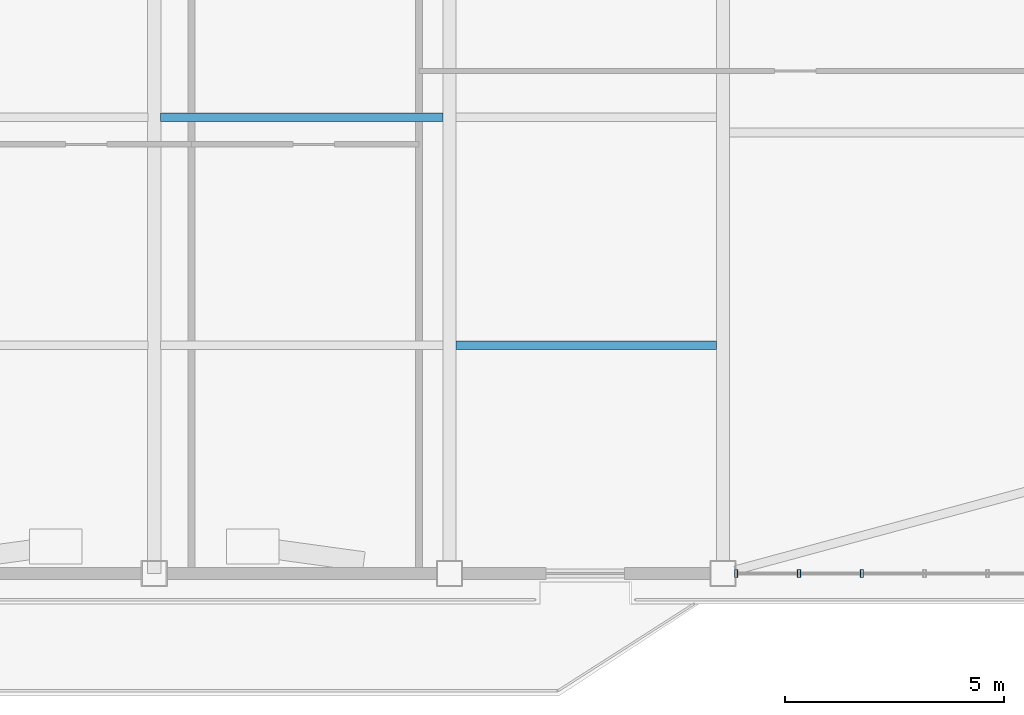
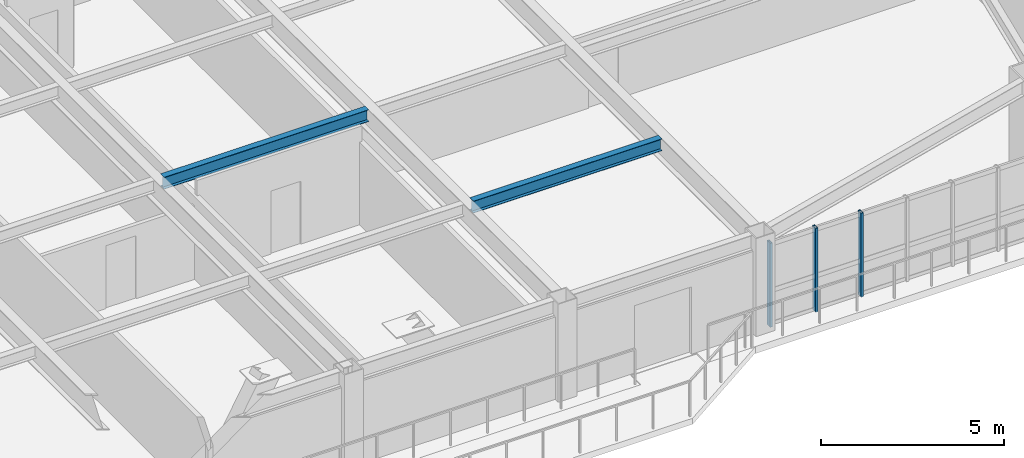
# One storey, part 4 of 17: 3 members, 2 beams, 1 element without a shape of its own.
"""IFC4 building model written with IfcOpenShell, lengths in metres."""

from ifc_helpers import new_model, si_unit, direction, frame, origin, origin_2d, place, context, subcontext, project, spatial, hollow_rectangle, i_section, extrude, source, transform, mapped, material, layer, layer_set, material_profile, profile_set, type_object, element, aggregate, save


model = new_model("IFC4")

# Units and contexts
model_context = context("Model", 3, precision=1e-05, world=origin(), true_north=direction((0.0, 1.0)))
body_context = subcontext(model_context, "Body", "Model", "MODEL_VIEW")
ifc_project = project(units=[si_unit("LENGTHUNIT", "METRE"), si_unit("AREAUNIT", "SQUARE_METRE"), si_unit("VOLUMEUNIT", "CUBIC_METRE"), si_unit("PLANEANGLEUNIT", "RADIAN"), si_unit("MASSUNIT", "GRAM", prefix="KILO")], contexts=[model_context])

# Site, building, storey
site_placement = place(None, origin())
site = spatial("IfcSite", under=ifc_project, at=site_placement, CompositionType="ELEMENT")
building_placement = place(site_placement, origin())
building = spatial("IfcBuilding", under=site, at=building_placement, Name="Giltprow Tower", CompositionType="ELEMENT")
storey_placement = place(building_placement, frame((0.0, 0.0, 206.199951171875)))
storey = spatial("IfcBuildingStorey", under=building, at=storey_placement, Name="L52", CompositionType="ELEMENT", Elevation=206.199951171875)

# Beams
ifc_material_1 = material(Name="Structural steel Q355B", Category="steel")
ifc_material_profile_1 = material_profile(ifc_material_1, i_section(OverallWidth=0.199951171875, OverallDepth=0.39990234375, WebThickness=0.008056640625, FlangeThickness=0.012939453125, at=origin_2d()), Name="HN 400x200x8x13")
ifc_profile_set_1 = profile_set([ifc_material_profile_1], Name="Structural steel Q355B")
beam_type = type_object("IfcBeamType", Name="BM-JOIST-HN400", PredefinedType="JOIST", material=ifc_profile_set_1)
shared_shape_1 = source(origin(), body_context, "Body", "SweptSolid", [
    extrude(i_section(OverallWidth=0.199951171875, OverallDepth=0.39990234375, WebThickness=0.008056640625, FlangeThickness=0.012939453125, at=origin_2d()), origin(), (0.0, 0.0, 1.0), 6.4599609375),
])
beam_1_placement = place(storey_placement, frame((37.695068359375, 21.81201171875, 3.070068359375), z_axis=(1.0, 0.0, 0.0), x_axis=(0.0, 1.0, 0.0)))
element("IfcBeam", 1, at=beam_1_placement, inside=storey, type_object=beam_type, Name="L52 Composite Floor Joist 2-3", PredefinedType="JOIST", context=body_context, shape_type="MappedRepresentation", body=[
    mapped(shared_shape_1, transform((0.0, 0.0, 0.0), x_axis=(1.0, 0.0, 0.0), y_axis=(0.0, 1.0, 0.0), z_axis=(0.0, 0.0, 1.0), scale=1.0)),
])
shared_shape_2 = source(origin(), body_context, "Body", "SweptSolid", [
    extrude(i_section(OverallWidth=0.199951171875, OverallDepth=0.39990234375, WebThickness=0.008056640625, FlangeThickness=0.012939453125, at=origin_2d()), origin(), (0.0, 0.0, 1.0), 5.9599609375),
])
beam_2_placement = place(storey_placement, frame((44.445068359375, 16.59912109375, 3.070068359375), z_axis=(1.0, 0.0, 0.0), x_axis=(0.0, 1.0, 0.0)))
element("IfcBeam", 2, at=beam_2_placement, inside=storey, type_object=beam_type, Name="L52 Composite Floor Joist 1-4", PredefinedType="JOIST", context=body_context, shape_type="MappedRepresentation", body=[
    mapped(shared_shape_2, transform((0.0, 0.0, 0.0), x_axis=(1.0, 0.0, 0.0), y_axis=(0.0, 1.0, 0.0), z_axis=(0.0, 0.0, 1.0), scale=1.0)),
])

# Curtain wall, members
ifc_material_2 = material(Name="Anodized bronze", Category="metal")
ifc_layer = layer(ifc_material_2, 0.179931640625, Name="Anodized bronze")
ifc_layer_set = layer_set([ifc_layer], Name="Anodized bronze")
curtain_wall_type = type_object("IfcCurtainWallType", Name="CW-HTL-BRONZE", PredefinedType="NOTDEFINED", material=ifc_layer_set)
curtain_wall_placement = place(storey_placement, origin())
curtain_wall = element("IfcCurtainWall", 3, at=curtain_wall_placement, inside=storey, type_object=curtain_wall_type, Name="L52 South Recessed Curtain Wall 6", PredefinedType="NOTDEFINED")
ifc_material_profile_2 = material_profile(ifc_material_2, hollow_rectangle(XDim=0.074951171875, YDim=0.179931640625, WallThickness=0.008056640625, at=origin_2d()), Name="RHS 180x75x8")
ifc_profile_set_2 = profile_set([ifc_material_profile_2], Name="Anodized bronze")
member_type = type_object("IfcMemberType", Name="CW-MULLION-180x75", PredefinedType="MULLION", material=ifc_profile_set_2)
shared_shape_3 = source(origin(), body_context, "Body", "SweptSolid", [
    extrude(hollow_rectangle(XDim=0.074951171875, YDim=0.179931640625, WallThickness=0.008056640625, at=origin_2d()), origin(), (0.0, 0.0, 1.0), 2.80517578125),
])
member_1_placement = place(storey_placement, frame((50.85009765625, 11.385986328125, -0.02001953125), z_axis=(0.0, 0.0, 1.0), x_axis=(1.0, 0.0, 0.0)))
member_1 = element("IfcMember", 4, at=member_1_placement, type_object=member_type, Name="L52 South Recessed Curtain Wall 6 Mullion 1", PredefinedType="MULLION", context=body_context, shape_type="MappedRepresentation", body=[
    mapped(shared_shape_3, transform((0.0, 0.0, 0.0), x_axis=(1.0, 0.0, 0.0), y_axis=(0.0, 1.0, 0.0), z_axis=(0.0, 0.0, 1.0), scale=1.0)),
])
member_2_placement = place(storey_placement, frame((52.284912109375, 11.385986328125, -0.02001953125), z_axis=(0.0, 0.0, 1.0), x_axis=(1.0, 0.0, 0.0)))
member_2 = element("IfcMember", 5, at=member_2_placement, type_object=member_type, Name="L52 South Recessed Curtain Wall 6 Mullion 2", PredefinedType="MULLION", context=body_context, shape_type="MappedRepresentation", body=[
    mapped(shared_shape_3, transform((0.0, 0.0, 0.0), x_axis=(1.0, 0.0, 0.0), y_axis=(0.0, 1.0, 0.0), z_axis=(0.0, 0.0, 1.0), scale=1.0)),
])
member_3_placement = place(storey_placement, frame((53.720947265625, 11.385986328125, -0.02001953125), z_axis=(0.0, 0.0, 1.0), x_axis=(1.0, 0.0, 0.0)))
member_3 = element("IfcMember", 6, at=member_3_placement, type_object=member_type, Name="L52 South Recessed Curtain Wall 6 Mullion 3", PredefinedType="MULLION", context=body_context, shape_type="MappedRepresentation", body=[
    mapped(shared_shape_3, transform((0.0, 0.0, 0.0), x_axis=(1.0, 0.0, 0.0), y_axis=(0.0, 1.0, 0.0), z_axis=(0.0, 0.0, 1.0), scale=1.0)),
])
aggregate(curtain_wall, [member_1, member_2, member_3])

save(model, "model.ifc")
